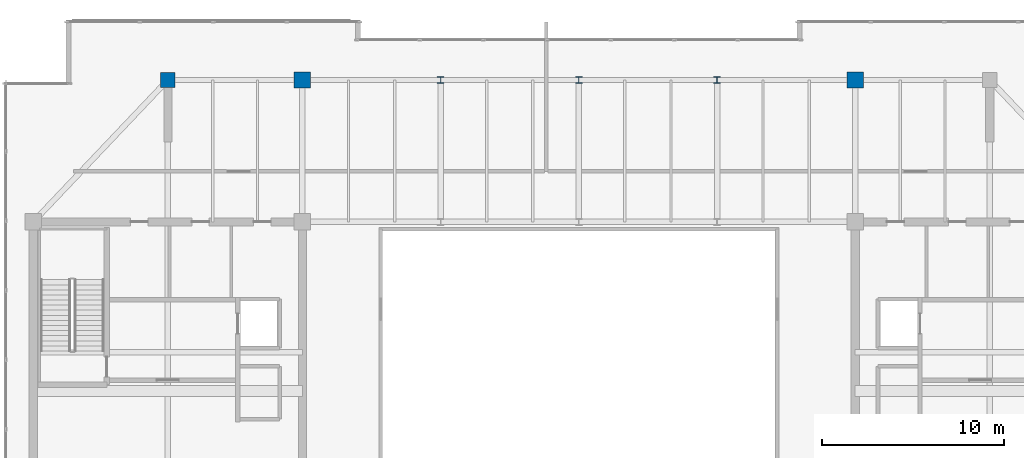
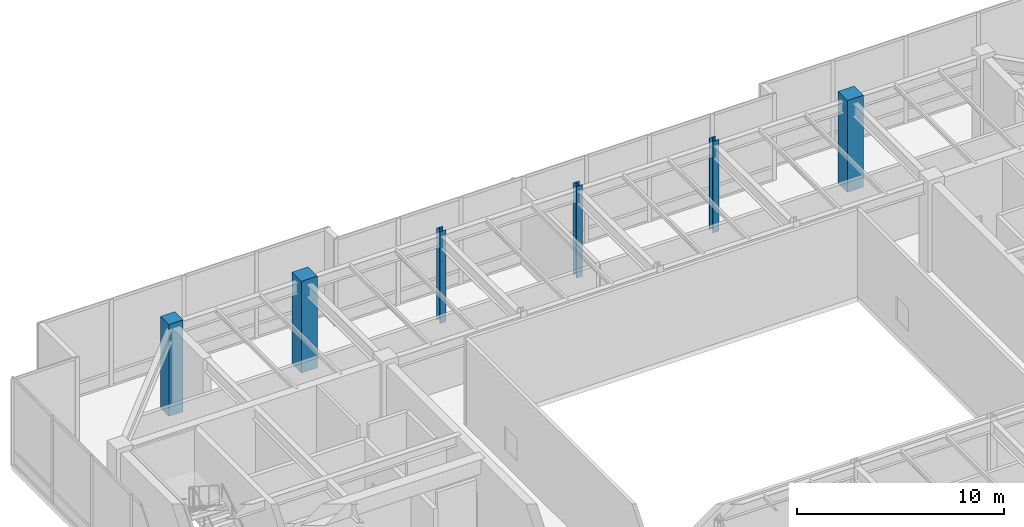
# One storey, part 3 of 30: 6 columns.
"""IFC4 building model written with IfcOpenShell, lengths in metres."""

from ifc_helpers import new_model, si_unit, direction, frame, origin, origin_2d, place, context, subcontext, project, spatial, rectangle, i_section, extrude, source, transform, mapped, material, material_profile, profile_set, type_object, type_shapes, element, save


model = new_model("IFC4")

# Units and contexts
model_context = context("Model", 3, precision=1e-05, world=origin(), true_north=direction((0.0, 1.0)))
body_context = subcontext(model_context, "Body", "Model", "MODEL_VIEW")
ifc_project = project(units=[si_unit("LENGTHUNIT", "METRE"), si_unit("AREAUNIT", "SQUARE_METRE"), si_unit("VOLUMEUNIT", "CUBIC_METRE"), si_unit("PLANEANGLEUNIT", "RADIAN"), si_unit("MASSUNIT", "GRAM", prefix="KILO")], contexts=[model_context])

# Site, building, storey
site_placement = place(None, origin())
site = spatial("IfcSite", under=ifc_project, at=site_placement, CompositionType="ELEMENT")
building_placement = place(site_placement, origin())
building = spatial("IfcBuilding", under=site, at=building_placement, Name="Haelvirn Gate Laboratories", CompositionType="ELEMENT")
storey_placement = place(building_placement, frame((0.0, 0.0, 332.39990234375)))
storey = spatial("IfcBuildingStorey", under=building, at=storey_placement, Name="L79", CompositionType="ELEMENT", Elevation=332.39990234375)

# Columns
ifc_material_1 = material(Name="Concrete C50/60", Category="concrete")
ifc_material_profile_1 = material_profile(ifc_material_1, rectangle(XDim=0.89990234375, YDim=0.89990234375, at=origin_2d()), Name="RC-900x900")
ifc_profile_set_1 = profile_set([ifc_material_profile_1], Name="Concrete C50/60")
column_type_1 = type_object("IfcColumnType", Name="COL-RC-900", PredefinedType="COLUMN", material=ifc_profile_set_1)
shared_shape_1 = source(origin(), body_context, "Body", "SweptSolid", [
    extrude(rectangle(XDim=0.89990234375, YDim=0.89990234375, at=origin_2d()), origin(), (0.0, 0.0, 1.0), 5.400146484375),
])
type_shapes(column_type_1, [shared_shape_1])
for number, where, z_axis, x_axis, name in (
    (1, (22.199951171875, 41.60009765625, 0.0), (0.0, 0.0, 1.0), (1.0, 0.0, 0.0), "L79 Column 4G"),
    (2, (52.60009765625, 41.60009765625, 0.0), (0.0, 0.0, 1.0), (1.0, 0.0, 0.0), "L79 Column 8G"),
):
    element("IfcColumn", number, at=place(storey_placement, frame(where, z_axis=z_axis, x_axis=x_axis)), inside=storey, type_object=column_type_1, Name=name, PredefinedType="COLUMN", context=body_context, shape_type="MappedRepresentation", body=[
        mapped(shared_shape_1, transform((0.0, 0.0, 0.0), scale=1.0)),
    ])
ifc_material_profile_2 = material_profile(ifc_material_1, rectangle(XDim=0.800048828125, YDim=0.800048828125, at=origin_2d()), Name="RC-800x800")
ifc_profile_set_2 = profile_set([ifc_material_profile_2], Name="Concrete C50/60")
column_type_2 = type_object("IfcColumnType", Name="COL-RC-800", PredefinedType="COLUMN", material=ifc_profile_set_2)
shared_shape_2 = source(origin(), body_context, "Body", "SweptSolid", [
    extrude(rectangle(XDim=0.800048828125, YDim=0.800048828125, at=origin_2d()), origin(), (0.0, 0.0, 1.0), 5.400146484375),
])
type_shapes(column_type_2, [shared_shape_2])
column_placement = place(storey_placement, frame((14.800048828125, 41.60009765625, 0.0), z_axis=(0.0, 0.0, 1.0), x_axis=(1.0, 0.0, 0.0)))
element("IfcColumn", 3, at=column_placement, inside=storey, type_object=column_type_2, Name="L79 Column 3G", PredefinedType="COLUMN", context=body_context, shape_type="MappedRepresentation", body=[
    mapped(shared_shape_2, transform((0.0, 0.0, 0.0), scale=1.0)),
])
ifc_material_2 = material(Name="Steel SM355", Category="steel")
ifc_material_profile_3 = material_profile(ifc_material_2, i_section(OverallWidth=0.35009765625, OverallDepth=0.35009765625, WebThickness=0.011962890625, FlangeThickness=0.01904296875, at=origin_2d()), Name="H-350x350x12x19")
ifc_profile_set_3 = profile_set([ifc_material_profile_3], Name="Steel SM355")
column_type_3 = type_object("IfcColumnType", Name="COL-H-350", PredefinedType="COLUMN", material=ifc_profile_set_3)
shared_shape_3 = source(origin(), body_context, "Body", "SweptSolid", [
    extrude(i_section(OverallWidth=0.35009765625, OverallDepth=0.35009765625, WebThickness=0.011962890625, FlangeThickness=0.01904296875, at=origin_2d()), origin(), (0.0, 0.0, 1.0), 5.400146484375),
])
type_shapes(column_type_3, [shared_shape_3])
for number, where, z_axis, x_axis, name in (
    (4, (29.800048828125, 41.60009765625, 0.0), (0.0, 0.0, 1.0), (1.0, 0.0, 0.0), "L79 Column 5G"),
    (5, (37.39990234375, 41.60009765625, 0.0), (0.0, 0.0, 1.0), (1.0, 0.0, 0.0), "L79 Column 6G"),
    (6, (45.0, 41.60009765625, 0.0), (0.0, 0.0, 1.0), (1.0, 0.0, 0.0), "L79 Column 7G"),
):
    element("IfcColumn", number, at=place(storey_placement, frame(where, z_axis=z_axis, x_axis=x_axis)), inside=storey, type_object=column_type_3, Name=name, PredefinedType="COLUMN", context=body_context, shape_type="MappedRepresentation", body=[
        mapped(shared_shape_3, transform((0.0, 0.0, 0.0), scale=1.0)),
    ])

save(model, "model.ifc")
